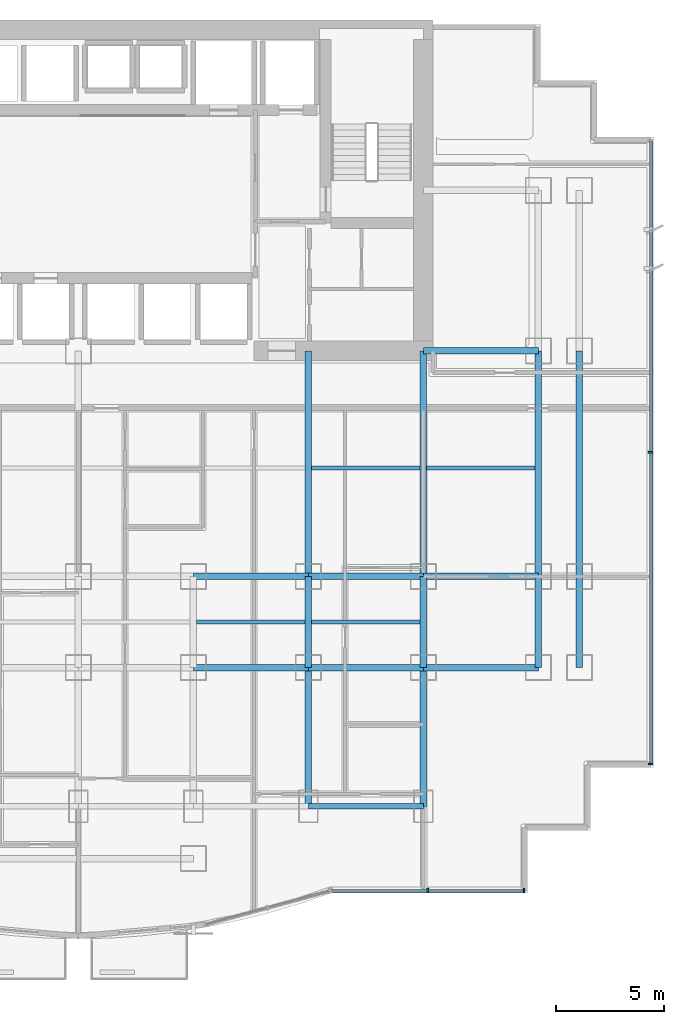
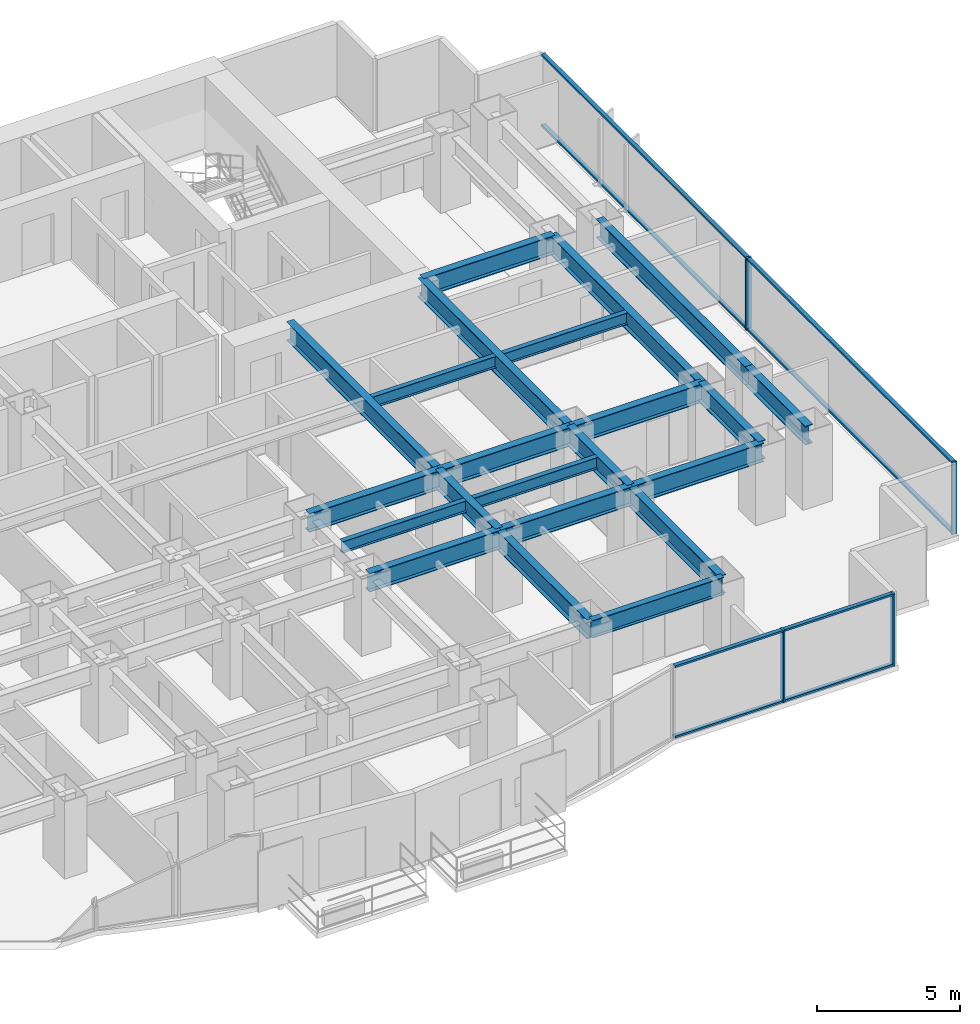
# One storey, part 3 of 12: 22 beams, 12 members, 2 elements without a shape of their own.
"""IFC4 building model written with IfcOpenShell, lengths in metres."""

from ifc_helpers import new_model, si_unit, direction, frame, origin, origin_2d, place, context, subcontext, project, spatial, rectangle, i_section, extrude, source, transform, mapped, material, layer, layer_set, material_profile, profile_set, type_object, element, aggregate, save


model = new_model("IFC4")

# Units and contexts
model_context = context("Model", 3, precision=1e-05, world=origin(), true_north=direction((0.0, 1.0)))
body_context = subcontext(model_context, "Body", "Model", "MODEL_VIEW")
ifc_project = project(units=[si_unit("LENGTHUNIT", "METRE"), si_unit("AREAUNIT", "SQUARE_METRE"), si_unit("VOLUMEUNIT", "CUBIC_METRE"), si_unit("PLANEANGLEUNIT", "RADIAN"), si_unit("MASSUNIT", "GRAM", prefix="KILO")], contexts=[model_context])

# Site, building, storey
site_placement = place(None, origin())
site = spatial("IfcSite", under=ifc_project, at=site_placement, CompositionType="ELEMENT")
building_placement = place(site_placement, origin())
building = spatial("IfcBuilding", under=site, at=building_placement, Name="Qianlan Lanfeng Residences", CompositionType="ELEMENT")
storey_placement = place(building_placement, frame((0.0, 0.0, 44.0)))
storey = spatial("IfcBuildingStorey", under=building, at=storey_placement, Name="L11", CompositionType="ELEMENT", Elevation=44.0)

# Beams
ifc_material_1 = material(Name="Steel SN490B", Category="steel")
ifc_material_profile_1 = material_profile(ifc_material_1, i_section(OverallWidth=0.300048828125, OverallDepth=0.800048828125, WebThickness=0.01611328125, FlangeThickness=0.028076171875, at=origin_2d()), Name="H 800x300x16x28")
ifc_profile_set_1 = profile_set([ifc_material_profile_1], Name="Steel SN490B")
beam_type_1 = type_object("IfcBeamType", Name="G-950", PredefinedType="BEAM", material=ifc_profile_set_1)
beam_1_placement = place(storey_placement, frame((31.800048828125, 10.60009765625, 2.679931640625), z_axis=(1.0, 0.0, 0.0), x_axis=(0.0, 1.0, 0.0)))
element("IfcBeam", 1, at=beam_1_placement, inside=storey, type_object=beam_type_1, Name="Structural beam G-950", PredefinedType="BEAM", context=body_context, shape_type="SweptSolid", body=[
    extrude(i_section(OverallWidth=0.300048828125, OverallDepth=0.800048828125, WebThickness=0.01611328125, FlangeThickness=0.028076171875, at=origin_2d()), origin(), (0.0, 0.0, 1.0), 5.300048828125),
])
beam_2_placement = place(storey_placement, frame((37.10009765625, 10.60009765625, 2.679931640625), z_axis=(1.0, 0.0, 0.0), x_axis=(0.0, 1.0, 0.0)))
element("IfcBeam", 2, at=beam_2_placement, inside=storey, type_object=beam_type_1, Name="Structural beam G-950", PredefinedType="BEAM", context=body_context, shape_type="SweptSolid", body=[
    extrude(i_section(OverallWidth=0.300048828125, OverallDepth=0.800048828125, WebThickness=0.01611328125, FlangeThickness=0.028076171875, at=origin_2d()), origin(), (0.0, 0.0, 1.0), 5.2998046875),
])
for number, where, z_axis, x_axis, name in (
    (3, (42.39990234375, 10.60009765625, 2.679931640625), (1.0, 0.0, 0.0), (0.0, 1.0, 0.0), "Structural beam G-950"),
    (4, (31.800048828125, 14.800048828125, 2.679931640625), (1.0, 0.0, 0.0), (0.0, 1.0, 0.0), "Structural beam G-950"),
):
    element("IfcBeam", number, at=place(storey_placement, frame(where, z_axis=z_axis, x_axis=x_axis)), inside=storey, type_object=beam_type_1, Name=name, PredefinedType="BEAM", context=body_context, shape_type="SweptSolid", body=[
        extrude(i_section(OverallWidth=0.300048828125, OverallDepth=0.800048828125, WebThickness=0.01611328125, FlangeThickness=0.028076171875, at=origin_2d()), origin(), (0.0, 0.0, 1.0), 5.300048828125),
    ])
beam_3_placement = place(storey_placement, frame((37.10009765625, 14.800048828125, 2.679931640625), z_axis=(1.0, 0.0, 0.0), x_axis=(0.0, 1.0, 0.0)))
element("IfcBeam", 5, at=beam_3_placement, inside=storey, type_object=beam_type_1, Name="Structural beam G-950", PredefinedType="BEAM", context=body_context, shape_type="SweptSolid", body=[
    extrude(i_section(OverallWidth=0.300048828125, OverallDepth=0.800048828125, WebThickness=0.01611328125, FlangeThickness=0.028076171875, at=origin_2d()), origin(), (0.0, 0.0, 1.0), 5.2998046875),
])
for number, where, z_axis, x_axis, name in (
    (6, (42.39990234375, 14.800048828125, 2.679931640625), (1.0, 0.0, 0.0), (0.0, 1.0, 0.0), "Structural beam G-950"),
    (7, (42.39990234375, 25.199951171875, 2.679931640625), (1.0, 0.0, 0.0), (0.0, 1.0, 0.0), "Structural beam G-950"),
):
    element("IfcBeam", number, at=place(storey_placement, frame(where, z_axis=z_axis, x_axis=x_axis)), inside=storey, type_object=beam_type_1, Name=name, PredefinedType="BEAM", context=body_context, shape_type="SweptSolid", body=[
        extrude(i_section(OverallWidth=0.300048828125, OverallDepth=0.800048828125, WebThickness=0.01611328125, FlangeThickness=0.028076171875, at=origin_2d()), origin(), (0.0, 0.0, 1.0), 5.300048828125),
    ])
beam_4_placement = place(storey_placement, frame((37.10009765625, 4.199951171875, 2.679931640625), z_axis=(0.0, 1.0, 0.0), x_axis=(-1.0, 0.0, 0.0)))
element("IfcBeam", 8, at=beam_4_placement, inside=storey, type_object=beam_type_1, Name="Structural beam G-950", PredefinedType="BEAM", context=body_context, shape_type="SweptSolid", body=[
    extrude(i_section(OverallWidth=0.300048828125, OverallDepth=0.800048828125, WebThickness=0.01611328125, FlangeThickness=0.028076171875, at=origin_2d()), origin(), (0.0, 0.0, 1.0), 6.400146484375),
])
beam_5_placement = place(storey_placement, frame((37.10009765625, 10.60009765625, 2.679931640625), z_axis=(0.0, 1.0, 0.0), x_axis=(-1.0, 0.0, 0.0)))
element("IfcBeam", 9, at=beam_5_placement, inside=storey, type_object=beam_type_1, Name="Structural beam G-950", PredefinedType="BEAM", context=body_context, shape_type="SweptSolid", body=[
    extrude(i_section(OverallWidth=0.300048828125, OverallDepth=0.800048828125, WebThickness=0.01611328125, FlangeThickness=0.028076171875, at=origin_2d()), origin(), (0.0, 0.0, 1.0), 4.199951171875),
])
beam_6_placement = place(storey_placement, frame((37.10009765625, 14.800048828125, 2.679931640625), z_axis=(0.0, 1.0, 0.0), x_axis=(-1.0, 0.0, 0.0)))
element("IfcBeam", 10, at=beam_6_placement, inside=storey, type_object=beam_type_1, Name="Structural beam G-950", PredefinedType="BEAM", context=body_context, shape_type="SweptSolid", body=[
    extrude(i_section(OverallWidth=0.300048828125, OverallDepth=0.800048828125, WebThickness=0.01611328125, FlangeThickness=0.028076171875, at=origin_2d()), origin(), (0.0, 0.0, 1.0), 10.39990234375),
])
beam_7_placement = place(storey_placement, frame((42.39990234375, 4.199951171875, 2.679931640625), z_axis=(0.0, 1.0, 0.0), x_axis=(-1.0, 0.0, 0.0)))
element("IfcBeam", 11, at=beam_7_placement, inside=storey, type_object=beam_type_1, Name="Structural beam G-950", PredefinedType="BEAM", context=body_context, shape_type="SweptSolid", body=[
    extrude(i_section(OverallWidth=0.300048828125, OverallDepth=0.800048828125, WebThickness=0.01611328125, FlangeThickness=0.028076171875, at=origin_2d()), origin(), (0.0, 0.0, 1.0), 6.400146484375),
])
beam_8_placement = place(storey_placement, frame((42.39990234375, 10.60009765625, 2.679931640625), z_axis=(0.0, 1.0, 0.0), x_axis=(-1.0, 0.0, 0.0)))
element("IfcBeam", 12, at=beam_8_placement, inside=storey, type_object=beam_type_1, Name="Structural beam G-950", PredefinedType="BEAM", context=body_context, shape_type="SweptSolid", body=[
    extrude(i_section(OverallWidth=0.300048828125, OverallDepth=0.800048828125, WebThickness=0.01611328125, FlangeThickness=0.028076171875, at=origin_2d()), origin(), (0.0, 0.0, 1.0), 4.199951171875),
])
beam_9_placement = place(storey_placement, frame((42.39990234375, 14.800048828125, 2.679931640625), z_axis=(0.0, 1.0, 0.0), x_axis=(-1.0, 0.0, 0.0)))
element("IfcBeam", 13, at=beam_9_placement, inside=storey, type_object=beam_type_1, Name="Structural beam G-950", PredefinedType="BEAM", context=body_context, shape_type="SweptSolid", body=[
    extrude(i_section(OverallWidth=0.300048828125, OverallDepth=0.800048828125, WebThickness=0.01611328125, FlangeThickness=0.028076171875, at=origin_2d()), origin(), (0.0, 0.0, 1.0), 10.39990234375),
])
beam_10_placement = place(storey_placement, frame((47.699951171875, 10.60009765625, 2.679931640625), z_axis=(0.0, 1.0, 0.0), x_axis=(-1.0, 0.0, 0.0)))
element("IfcBeam", 14, at=beam_10_placement, inside=storey, type_object=beam_type_1, Name="Structural beam G-950", PredefinedType="BEAM", context=body_context, shape_type="SweptSolid", body=[
    extrude(i_section(OverallWidth=0.300048828125, OverallDepth=0.800048828125, WebThickness=0.01611328125, FlangeThickness=0.028076171875, at=origin_2d()), origin(), (0.0, 0.0, 1.0), 4.199951171875),
])
beam_11_placement = place(storey_placement, frame((47.699951171875, 14.800048828125, 2.679931640625), z_axis=(0.0, 1.0, 0.0), x_axis=(-1.0, 0.0, 0.0)))
element("IfcBeam", 15, at=beam_11_placement, inside=storey, type_object=beam_type_1, Name="Structural beam G-950", PredefinedType="BEAM", context=body_context, shape_type="SweptSolid", body=[
    extrude(i_section(OverallWidth=0.300048828125, OverallDepth=0.800048828125, WebThickness=0.01611328125, FlangeThickness=0.028076171875, at=origin_2d()), origin(), (0.0, 0.0, 1.0), 10.39990234375),
])
beam_12_placement = place(storey_placement, frame((49.60009765625, 10.60009765625, 2.679931640625), z_axis=(0.0, 1.0, 0.0), x_axis=(-1.0, 0.0, 0.0)))
element("IfcBeam", 16, at=beam_12_placement, inside=storey, type_object=beam_type_1, Name="Structural beam G-950", PredefinedType="BEAM", context=body_context, shape_type="SweptSolid", body=[
    extrude(i_section(OverallWidth=0.300048828125, OverallDepth=0.800048828125, WebThickness=0.01611328125, FlangeThickness=0.028076171875, at=origin_2d()), origin(), (0.0, 0.0, 1.0), 4.199951171875),
])
beam_13_placement = place(storey_placement, frame((49.60009765625, 14.800048828125, 2.679931640625), z_axis=(0.0, 1.0, 0.0), x_axis=(-1.0, 0.0, 0.0)))
element("IfcBeam", 17, at=beam_13_placement, inside=storey, type_object=beam_type_1, Name="Structural beam G-950", PredefinedType="BEAM", context=body_context, shape_type="SweptSolid", body=[
    extrude(i_section(OverallWidth=0.300048828125, OverallDepth=0.800048828125, WebThickness=0.01611328125, FlangeThickness=0.028076171875, at=origin_2d()), origin(), (0.0, 0.0, 1.0), 10.39990234375),
])
ifc_material_profile_2 = material_profile(ifc_material_1, i_section(OverallWidth=0.199951171875, OverallDepth=0.5, WebThickness=0.010009765625, FlangeThickness=0.01611328125, at=origin_2d()), Name="H 500x200x10x16")
ifc_profile_set_2 = profile_set([ifc_material_profile_2], Name="Steel SN490B")
beam_type_2 = type_object("IfcBeamType", Name="J-500", PredefinedType="JOIST", material=ifc_profile_set_2)
for number, where, z_axis, x_axis, name in (
    (18, (31.949951171875, 12.699951171875, 2.830078125), (1.0, 0.0, 0.0), (0.0, 1.0, 0.0), "Structural beam J-500"),
    (19, (37.25, 12.699951171875, 2.830078125), (1.0, 0.0, 0.0), (0.0, 1.0, 0.0), "Structural beam J-500"),
    (20, (37.25, 19.800048828125, 2.830078125), (1.0, 0.0, 0.0), (0.0, 1.0, 0.0), "Structural beam J-500"),
    (21, (42.550048828125, 19.800048828125, 2.830078125), (1.0, 0.0, 0.0), (0.0, 1.0, 0.0), "Structural beam J-500"),
):
    element("IfcBeam", number, at=place(storey_placement, frame(where, z_axis=z_axis, x_axis=x_axis)), inside=storey, type_object=beam_type_2, Name=name, PredefinedType="JOIST", context=body_context, shape_type="SweptSolid", body=[
        extrude(i_section(OverallWidth=0.199951171875, OverallDepth=0.5, WebThickness=0.010009765625, FlangeThickness=0.01611328125, at=origin_2d()), origin(), (0.0, 0.0, 1.0), 5.0),
    ])
ifc_material_profile_3 = material_profile(ifc_material_1, i_section(OverallWidth=0.25, OverallDepth=0.75, WebThickness=0.013916015625, FlangeThickness=0.02490234375, at=origin_2d()), Name="H 750x250x14x25")
ifc_profile_set_3 = profile_set([ifc_material_profile_3], Name="Steel SN490B")
beam_type_3 = type_object("IfcBeamType", Name="SG-850", PredefinedType="SPANDREL", material=ifc_profile_set_3)
beam_14_placement = place(storey_placement, frame((37.10009765625, 4.199951171875, 2.705078125), z_axis=(1.0, 0.0, 0.0), x_axis=(0.0, 1.0, 0.0)))
element("IfcBeam", 22, at=beam_14_placement, inside=storey, type_object=beam_type_3, Name="Structural beam SG-850", PredefinedType="SPANDREL", context=body_context, shape_type="SweptSolid", body=[
    extrude(i_section(OverallWidth=0.25, OverallDepth=0.75, WebThickness=0.013916015625, FlangeThickness=0.02490234375, at=origin_2d()), origin(), (0.0, 0.0, 1.0), 5.2998046875),
])

# Curtain wall, members
ifc_material_2 = material(Name="Anodised Bronze Aluminium 6063-T6", Category="aluminium")
ifc_layer = layer(ifc_material_2, 0.219970703125)
ifc_layer_set = layer_set([ifc_layer], Name="Anodised Bronze Aluminium 6063-T6")
curtain_wall_type = type_object("IfcCurtainWallType", Name="CW-02", PredefinedType="NOTDEFINED", material=ifc_layer_set)
curtain_wall_1_placement = place(storey_placement, origin())
curtain_wall_1 = element("IfcCurtainWall", 23, at=curtain_wall_1_placement, inside=storey, type_object=curtain_wall_type, Name="L11 Unitised Curtain Wall CWR-L11-04 (CW-02)", PredefinedType="NOTDEFINED")
ifc_material_profile_4 = material_profile(ifc_material_2, rectangle(XDim=0.080078125, YDim=0.2099609375, at=origin_2d()), Name="ALU MULLION 80x210")
ifc_profile_set_4 = profile_set([ifc_material_profile_4], Name="Anodised Bronze Aluminium 6063-T6")
member_type_1 = type_object("IfcMemberType", Name="CWM-220", PredefinedType="MULLION", material=ifc_profile_set_4)
shared_shape_1 = source(origin(), body_context, "Body", "SweptSolid", [
    extrude(rectangle(XDim=0.080078125, YDim=0.2099609375, at=origin_2d()), origin(), (0.0, 0.0, 1.0), 3.080078125),
])
member_1_placement = place(storey_placement, frame((42.60498046875, 0.320068359375, 0.0), z_axis=(0.0, 0.0, 1.0), x_axis=(1.0, 0.0, 0.0)))
member_1 = element("IfcMember", 24, at=member_1_placement, type_object=member_type_1, Name="CWR-L11-04 Mullion 2", PredefinedType="MULLION", context=body_context, shape_type="MappedRepresentation", body=[
    mapped(shared_shape_1, transform((0.0, 0.0, 0.0), scale=1.0)),
])
member_2_placement = place(storey_placement, frame((47.0400390625, 0.320068359375, 0.0), z_axis=(0.0, 0.0, 1.0), x_axis=(1.0, 0.0, 0.0)))
member_2 = element("IfcMember", 25, at=member_2_placement, type_object=member_type_1, Name="CWR-L11-04 Mullion 3", PredefinedType="MULLION", context=body_context, shape_type="MappedRepresentation", body=[
    mapped(shared_shape_1, transform((0.0, 0.0, 0.0), scale=1.0)),
])

curtain_wall_2_placement = place(storey_placement, origin())
curtain_wall_2 = element("IfcCurtainWall", 26, at=curtain_wall_2_placement, inside=storey, type_object=curtain_wall_type, Name="L11 Unitised Curtain Wall CWR-L11-05 (CW-02)", PredefinedType="NOTDEFINED")
member_3_placement = place(storey_placement, frame((52.8798828125, 6.159912109375, 0.0), z_axis=(0.0, 0.0, 1.0), x_axis=(0.0, 1.0, 0.0)))
member_3 = element("IfcMember", 27, at=member_3_placement, type_object=member_type_1, Name="CWR-L11-05 Mullion 1", PredefinedType="MULLION", context=body_context, shape_type="MappedRepresentation", body=[
    mapped(shared_shape_1, transform((0.0, 0.0, 0.0), scale=1.0)),
])
member_4_placement = place(storey_placement, frame((52.8798828125, 20.52490234375, 0.0), z_axis=(0.0, 0.0, 1.0), x_axis=(0.0, 1.0, 0.0)))
member_4 = element("IfcMember", 28, at=member_4_placement, type_object=member_type_1, Name="CWR-L11-05 Mullion 2", PredefinedType="MULLION", context=body_context, shape_type="MappedRepresentation", body=[
    mapped(shared_shape_1, transform((0.0, 0.0, 0.0), scale=1.0)),
])

# Member
ifc_material_profile_5 = material_profile(ifc_material_2, rectangle(XDim=0.080078125, YDim=0.159912109375, at=origin_2d()), Name="ALU TRANSOM 80x160")
ifc_profile_set_5 = profile_set([ifc_material_profile_5], Name="Anodised Bronze Aluminium 6063-T6")
member_type_2 = type_object("IfcMemberType", Name="CWT-180", PredefinedType="USERDEFINED", material=ifc_profile_set_5)
shared_shape_2 = source(origin(), body_context, "Body", "SweptSolid", [
    extrude(rectangle(XDim=0.080078125, YDim=0.159912109375, at=origin_2d()), origin(), (0.0, 0.0, 1.0), 4.35498046875),
])
member_5_placement = place(storey_placement, frame((38.2099609375, 0.320068359375, 0.0400390625), z_axis=(1.0, 0.0, 0.0), x_axis=(0.0, 0.0, 1.0)))
member_5 = element("IfcMember", 29, at=member_5_placement, type_object=member_type_2, Name="CWR-L11-04 Transom 1-BOT", ObjectType="TRANSOM", PredefinedType="USERDEFINED", context=body_context, shape_type="MappedRepresentation", body=[
    mapped(shared_shape_2, transform((0.0, 0.0, 0.0), scale=1.0)),
])

member_6_placement = place(storey_placement, frame((38.2099609375, 0.320068359375, 3.0400390625), z_axis=(1.0, 0.0, 0.0), x_axis=(0.0, 0.0, 1.0)))
member_6 = element("IfcMember", 30, at=member_6_placement, type_object=member_type_2, Name="CWR-L11-04 Transom 1-TOP", ObjectType="TRANSOM", PredefinedType="USERDEFINED", context=body_context, shape_type="MappedRepresentation", body=[
    mapped(shared_shape_2, transform((0.0, 0.0, 0.0), scale=1.0)),
])

member_7_placement = place(storey_placement, frame((42.64501953125, 0.320068359375, 0.0400390625), z_axis=(1.0, 0.0, 0.0), x_axis=(0.0, 0.0, 1.0)))
member_7 = element("IfcMember", 31, at=member_7_placement, type_object=member_type_2, Name="CWR-L11-04 Transom 2-BOT", ObjectType="TRANSOM", PredefinedType="USERDEFINED", context=body_context, shape_type="MappedRepresentation", body=[
    mapped(shared_shape_2, transform((0.0, 0.0, 0.0), scale=1.0)),
])

member_8_placement = place(storey_placement, frame((42.64501953125, 0.320068359375, 3.0400390625), z_axis=(1.0, 0.0, 0.0), x_axis=(0.0, 0.0, 1.0)))
member_8 = element("IfcMember", 32, at=member_8_placement, type_object=member_type_2, Name="CWR-L11-04 Transom 2-TOP", ObjectType="TRANSOM", PredefinedType="USERDEFINED", context=body_context, shape_type="MappedRepresentation", body=[
    mapped(shared_shape_2, transform((0.0, 0.0, 0.0), scale=1.0)),
])

aggregate(curtain_wall_1, [member_1, member_2, member_5, member_6, member_7, member_8])

shared_shape_3 = source(origin(), body_context, "Body", "SweptSolid", [
    extrude(rectangle(XDim=0.080078125, YDim=0.159912109375, at=origin_2d()), origin(), (0.0, 0.0, 1.0), 14.28515625),
])
member_9_placement = place(storey_placement, frame((52.8798828125, 6.199951171875, 0.0400390625), z_axis=(0.0, 1.0, 0.0), x_axis=(0.0, 0.0, 1.0)))
member_9 = element("IfcMember", 33, at=member_9_placement, type_object=member_type_2, Name="CWR-L11-05 Transom 1-BOT", ObjectType="TRANSOM", PredefinedType="USERDEFINED", context=body_context, shape_type="MappedRepresentation", body=[
    mapped(shared_shape_3, transform((0.0, 0.0, 0.0), scale=1.0)),
])

member_10_placement = place(storey_placement, frame((52.8798828125, 6.199951171875, 3.0400390625), z_axis=(0.0, 1.0, 0.0), x_axis=(0.0, 0.0, 1.0)))
member_10 = element("IfcMember", 34, at=member_10_placement, type_object=member_type_2, Name="CWR-L11-05 Transom 1-TOP", ObjectType="TRANSOM", PredefinedType="USERDEFINED", context=body_context, shape_type="MappedRepresentation", body=[
    mapped(shared_shape_3, transform((0.0, 0.0, 0.0), scale=1.0)),
])

member_11_placement = place(storey_placement, frame((52.8798828125, 20.56494140625, 0.0400390625), z_axis=(0.0, 1.0, 0.0), x_axis=(0.0, 0.0, 1.0)))
member_11 = element("IfcMember", 35, at=member_11_placement, type_object=member_type_2, Name="CWR-L11-05 Transom 2-BOT", ObjectType="TRANSOM", PredefinedType="USERDEFINED", context=body_context, shape_type="MappedRepresentation", body=[
    mapped(shared_shape_3, transform((0.0, 0.0, 0.0), scale=1.0)),
])

member_12_placement = place(storey_placement, frame((52.8798828125, 20.56494140625, 3.0400390625), z_axis=(0.0, 1.0, 0.0), x_axis=(0.0, 0.0, 1.0)))
member_12 = element("IfcMember", 36, at=member_12_placement, type_object=member_type_2, Name="CWR-L11-05 Transom 2-TOP", ObjectType="TRANSOM", PredefinedType="USERDEFINED", context=body_context, shape_type="MappedRepresentation", body=[
    mapped(shared_shape_3, transform((0.0, 0.0, 0.0), scale=1.0)),
])

aggregate(curtain_wall_2, [member_3, member_4, member_9, member_10, member_11, member_12])

save(model, "model.ifc")
